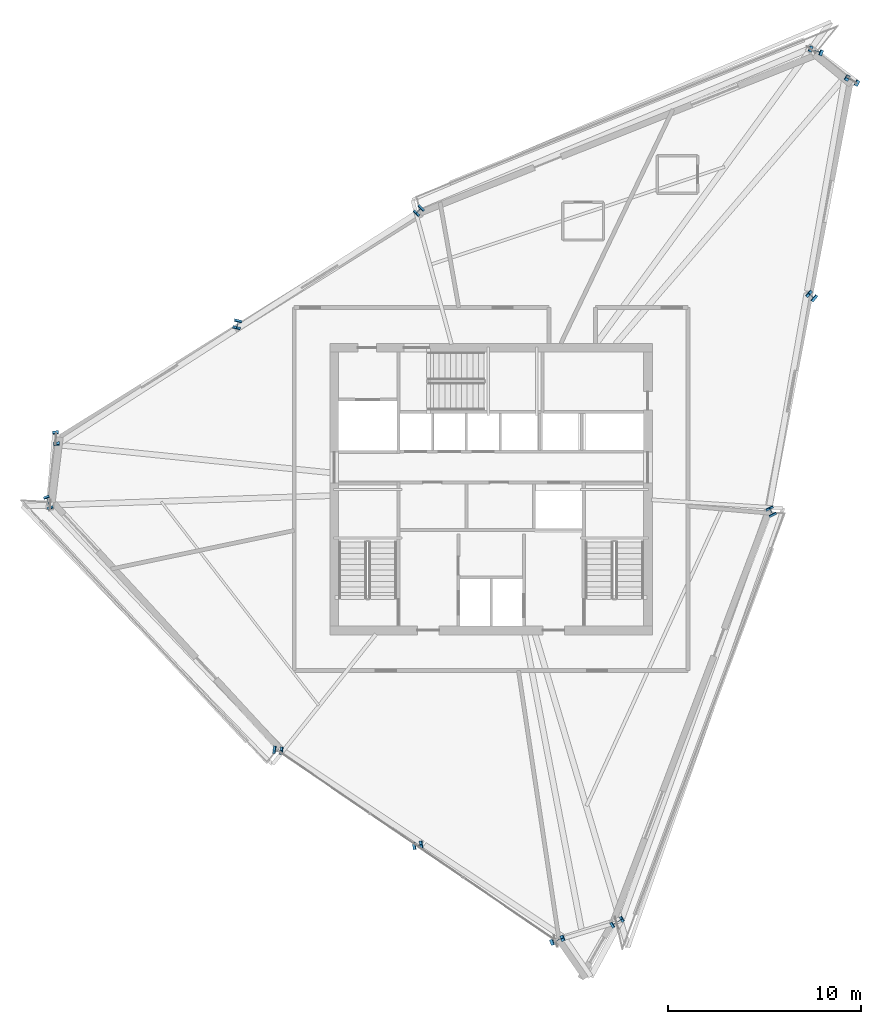
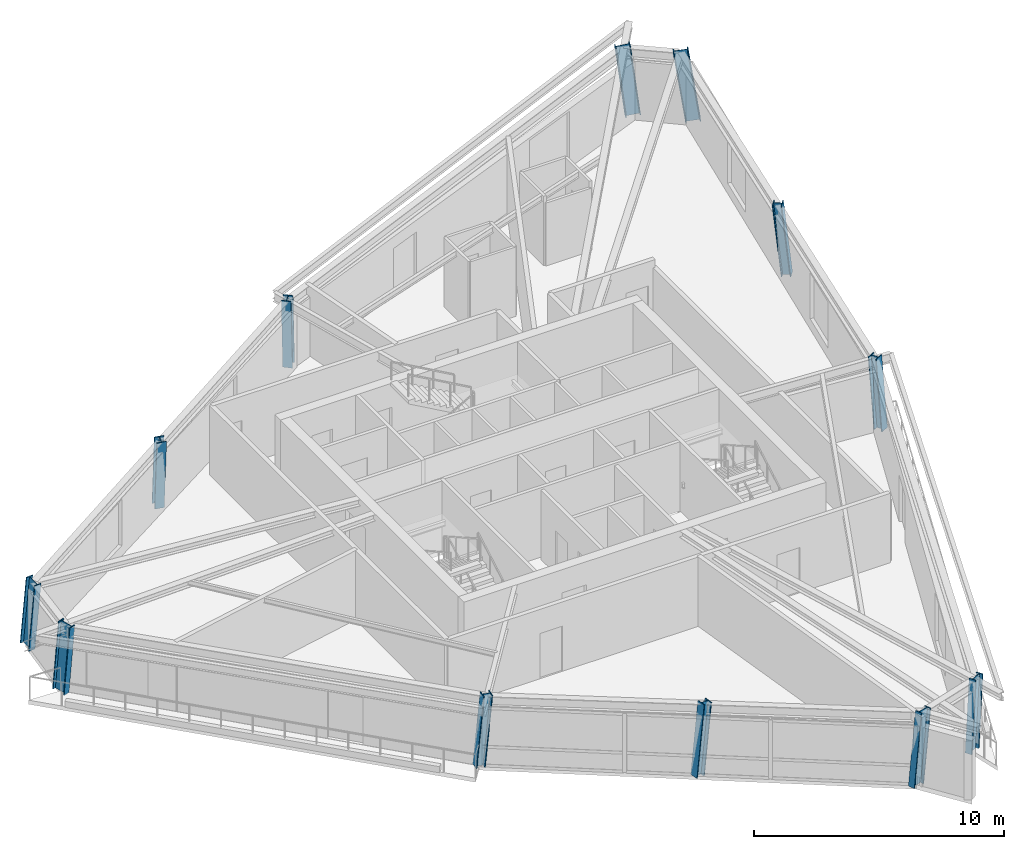
# One storey, part 1 of 13: 12 columns.
"""IFC4 building model written with IfcOpenShell, lengths in metres."""

from ifc_helpers import new_model, si_unit, direction, frame, origin, origin_2d, place, context, subcontext, project, spatial, i_section, extrude, source, transform, mapped, material, material_profile, profile_set, type_object, element, save


model = new_model("IFC4")

# Units and contexts
model_context = context("Model", 3, precision=1e-05, world=origin(), true_north=direction((0.0, 1.0)))
body_context = subcontext(model_context, "Body", "Model", "MODEL_VIEW")
ifc_project = project(units=[si_unit("LENGTHUNIT", "METRE"), si_unit("AREAUNIT", "SQUARE_METRE"), si_unit("VOLUMEUNIT", "CUBIC_METRE"), si_unit("PLANEANGLEUNIT", "RADIAN"), si_unit("MASSUNIT", "GRAM", prefix="KILO")], contexts=[model_context])

# Site, building, storey
site_placement = place(None, origin())
site = spatial("IfcSite", under=ifc_project, at=site_placement, CompositionType="ELEMENT")
building_placement = place(site_placement, origin())
building = spatial("IfcBuilding", under=site, at=building_placement, Name="Olszyna Solenne Hotel", CompositionType="ELEMENT")
storey_placement = place(building_placement, frame((0.0, 0.0, 241.699951171875)))
storey = spatial("IfcBuildingStorey", under=building, at=storey_placement, Name="L64", CompositionType="ELEMENT", Elevation=241.699951171875)

# Columns
ifc_material = material(Name="Steel S460M", Category="steel")
ifc_material_profile_1 = material_profile(ifc_material, i_section(OverallWidth=0.304931640625, OverallDepth=0.6201171875, WebThickness=0.02099609375, FlangeThickness=0.0400390625, at=origin_2d()), Name="HEM 600", Category="load-bearing")
ifc_profile_set_1 = profile_set([ifc_material_profile_1], Name="Steel S460M")
column_type_1 = type_object("IfcColumnType", Name="COL-K3", PredefinedType="COLUMN", material=ifc_profile_set_1)
shared_shape_1 = source(origin(), body_context, "Body", "SweptSolid", [
    extrude(i_section(OverallWidth=0.304931640625, OverallDepth=0.6201171875, WebThickness=0.02099609375, FlangeThickness=0.0400390625, at=origin_2d()), origin(), (0.0, 0.0, 1.0), 3.4599609375),
])
column_1_placement = place(storey_placement, frame((54.888916015625, 49.278564453125, 0.0), z_axis=(-0.112683964141, 0.041206909867, 0.992776064782), x_axis=(-0.343442373818, -0.939173751691, 0.0)))
element("IfcColumn", 1, at=column_1_placement, inside=storey, type_object=column_type_1, Name="Perimeter framed-tube column COL-K3 C-L64-02", PredefinedType="COLUMN", context=body_context, shape_type="MappedRepresentation", body=[
    mapped(shared_shape_1, transform((0.0, 0.0, 0.0), x_axis=(1.0, 0.0, 0.0), y_axis=(0.0, 1.0, 0.0), z_axis=(0.0, 0.0, 1.0), scale=1.0)),
])
shared_shape_2 = source(origin(), body_context, "Body", "SweptSolid", [
    extrude(i_section(OverallWidth=0.304931640625, OverallDepth=0.6201171875, WebThickness=0.02099609375, FlangeThickness=0.0400390625, at=origin_2d()), origin(), (0.0, 0.0, 1.0), 3.44873046875),
])
column_2_placement = place(storey_placement, frame((15.0419921875, 25.95068359375, 0.0), z_axis=(0.029803367502, -0.083746754763, 0.996041284462), x_axis=(0.942119687121, 0.335276744107, 0.0)))
element("IfcColumn", 2, at=column_2_placement, inside=storey, type_object=column_type_1, Name="Perimeter framed-tube column COL-K3 C-L64-06", PredefinedType="COLUMN", context=body_context, shape_type="MappedRepresentation", body=[
    mapped(shared_shape_2, transform((0.0, 0.0, 0.0), x_axis=(1.0, 0.0, 0.0), y_axis=(0.0, 1.0, 0.0), z_axis=(0.0, 0.0, 1.0), scale=1.0)),
])
shared_shape_3 = source(origin(), body_context, "Body", "SweptSolid", [
    extrude(i_section(OverallWidth=0.304931640625, OverallDepth=0.6201171875, WebThickness=0.02099609375, FlangeThickness=0.0400390625, at=origin_2d()), origin(), (0.0, 0.0, 1.0), 3.471435546875),
])
column_3_placement = place(storey_placement, frame((56.776123046875, 47.7255859375, 0.0), z_axis=(-0.127509311173, 0.067306349031, 0.989551024932), x_axis=(-0.466811606986, -0.88435678523, 0.0)))
element("IfcColumn", 3, at=column_3_placement, inside=storey, type_object=column_type_1, Name="Perimeter framed-tube column COL-K3 C-L64-01", PredefinedType="COLUMN", context=body_context, shape_type="MappedRepresentation", body=[
    mapped(shared_shape_3, transform((0.0, 0.0, 0.0), x_axis=(1.0, 0.0, 0.0), y_axis=(0.0, 1.0, 0.0), z_axis=(0.0, 0.0, 1.0), scale=1.0)),
])
ifc_material_profile_2 = material_profile(ifc_material, i_section(OverallWidth=0.40087890625, OverallDepth=0.39892578125, WebThickness=0.02197265625, FlangeThickness=0.034423828125, at=origin_2d()), Name="HD 400x314", Category="load-bearing")
ifc_profile_set_2 = profile_set([ifc_material_profile_2], Name="Steel S460M")
column_type_2 = type_object("IfcColumnType", Name="COL-T5", PredefinedType="COLUMN", material=ifc_profile_set_2)
shared_shape_4 = source(origin(), body_context, "Body", "SweptSolid", [
    extrude(i_section(OverallWidth=0.40087890625, OverallDepth=0.39892578125, WebThickness=0.02197265625, FlangeThickness=0.034423828125, at=origin_2d()), origin(), (0.0, 0.0, 1.0), 3.445556640625),
])
column_4_placement = place(storey_placement, frame((34.279052734375, 41.058837890625, 0.0), z_axis=(-0.052577179651, -0.057112138543, 0.996982368857), x_axis=(0.735712662081, -0.67729379065, 0.0)))
element("IfcColumn", 4, at=column_4_placement, inside=storey, type_object=column_type_2, Name="Perimeter framed-tube column COL-T5 C-L64-03", PredefinedType="COLUMN", context=body_context, shape_type="MappedRepresentation", body=[
    mapped(shared_shape_4, transform((0.0, 0.0, 0.0), x_axis=(1.0, 0.0, 0.0), y_axis=(0.0, 1.0, 0.0), z_axis=(0.0, 0.0, 1.0), scale=1.0)),
])
shared_shape_5 = source(origin(), body_context, "Body", "SweptSolid", [
    extrude(i_section(OverallWidth=0.40087890625, OverallDepth=0.39892578125, WebThickness=0.02197265625, FlangeThickness=0.034423828125, at=origin_2d()), origin(), (0.0, 0.0, 1.0), 3.449462890625),
])
column_5_placement = place(storey_placement, frame((24.86669921875, 35.185791015625, 0.0), z_axis=(-0.021090836503, -0.089105245494, 0.995798891263), x_axis=(0.973112208811, -0.230331563325, 0.0)))
element("IfcColumn", 5, at=column_5_placement, inside=storey, type_object=column_type_2, Name="Perimeter framed-tube column COL-T5 C-L64-04", PredefinedType="COLUMN", context=body_context, shape_type="MappedRepresentation", body=[
    mapped(shared_shape_5, transform((0.0, 0.0, 0.0), x_axis=(1.0, 0.0, 0.0), y_axis=(0.0, 1.0, 0.0), z_axis=(0.0, 0.0, 1.0), scale=1.0)),
])
shared_shape_6 = source(origin(), body_context, "Body", "SweptSolid", [
    extrude(i_section(OverallWidth=0.304931640625, OverallDepth=0.6201171875, WebThickness=0.02099609375, FlangeThickness=0.0400390625, at=origin_2d()), origin(), (0.0, 0.0, 1.0), 3.460693359375),
])
column_6_placement = place(storey_placement, frame((15.45458984375, 29.312744140625, 0.0), z_axis=(0.010299993131, -0.120919097436, 0.992608927029), x_axis=(0.996391734006, 0.084873508264, 0.0)))
element("IfcColumn", 6, at=column_6_placement, inside=storey, type_object=column_type_1, Name="Perimeter framed-tube column COL-K3 C-L64-05", PredefinedType="COLUMN", context=body_context, shape_type="MappedRepresentation", body=[
    mapped(shared_shape_6, transform((0.0, 0.0, 0.0), x_axis=(1.0, 0.0, 0.0), y_axis=(0.0, 1.0, 0.0), z_axis=(0.0, 0.0, 1.0), scale=1.0)),
])
shared_shape_7 = source(origin(), body_context, "Body", "SweptSolid", [
    extrude(i_section(OverallWidth=0.40087890625, OverallDepth=0.39892578125, WebThickness=0.02197265625, FlangeThickness=0.034423828125, at=origin_2d()), origin(), (0.0, 0.0, 1.0), 3.449951171875),
])
column_7_placement = place(storey_placement, frame((26.906494140625, 13.0791015625, 0.0), z_axis=(0.09164447081, -0.01316283519, 0.99570479096), x_axis=(0.142170385525, 0.989842200292, 0.0)))
element("IfcColumn", 7, at=column_7_placement, inside=storey, type_object=column_type_2, Name="Perimeter framed-tube column COL-T5 C-L64-07", PredefinedType="COLUMN", context=body_context, shape_type="MappedRepresentation", body=[
    mapped(shared_shape_7, transform((0.0, 0.0, 0.0), x_axis=(1.0, 0.0, 0.0), y_axis=(0.0, 1.0, 0.0), z_axis=(0.0, 0.0, 1.0), scale=1.0)),
])
shared_shape_8 = source(origin(), body_context, "Body", "SweptSolid", [
    extrude(i_section(OverallWidth=0.40087890625, OverallDepth=0.39892578125, WebThickness=0.02197265625, FlangeThickness=0.034423828125, at=origin_2d()), origin(), (0.0, 0.0, 1.0), 3.455078125),
])
for number, where, z_axis, x_axis, name in (
    (8, (34.131591796875, 8.13818359375, 0.0), (0.106064205529, 0.016676317458, 0.994219434904), (-0.155320411925, 0.987864145336, 0.0), "Perimeter framed-tube column COL-T5 C-L64-08"),
    (9, (54.653564453125, 36.559814453125, 0.0), (-0.081899103864, 0.06917965719, 0.994236748374), (-0.645291965008, -0.763936044376, 0.0), "Perimeter framed-tube column COL-T5 C-L64-12"),
):
    element("IfcColumn", number, at=place(storey_placement, frame(where, z_axis=z_axis, x_axis=x_axis)), inside=storey, type_object=column_type_2, Name=name, PredefinedType="COLUMN", context=body_context, shape_type="MappedRepresentation", body=[
        mapped(shared_shape_8, transform((0.0, 0.0, 0.0), x_axis=(1.0, 0.0, 0.0), y_axis=(0.0, 1.0, 0.0), z_axis=(0.0, 0.0, 1.0), scale=1.0)),
    ])
shared_shape_9 = source(origin(), body_context, "Body", "SweptSolid", [
    extrude(i_section(OverallWidth=0.304931640625, OverallDepth=0.6201171875, WebThickness=0.02099609375, FlangeThickness=0.0400390625, at=origin_2d()), origin(), (0.0, 0.0, 1.0), 3.464111328125),
])
column_8_placement = place(storey_placement, frame((41.356689453125, 3.197509765625, 0.0), z_axis=(0.120378309465, 0.046445729472, 0.991640991904), x_axis=(-0.359967164557, 0.932964972783, 0.0)))
element("IfcColumn", 10, at=column_8_placement, inside=storey, type_object=column_type_1, Name="Perimeter framed-tube column COL-K3 C-L64-09", PredefinedType="COLUMN", context=body_context, shape_type="MappedRepresentation", body=[
    mapped(shared_shape_9, transform((0.0, 0.0, 0.0), x_axis=(1.0, 0.0, 0.0), y_axis=(0.0, 1.0, 0.0), z_axis=(0.0, 0.0, 1.0), scale=1.0)),
])
shared_shape_10 = source(origin(), body_context, "Body", "SweptSolid", [
    extrude(i_section(OverallWidth=0.304931640625, OverallDepth=0.6201171875, WebThickness=0.02099609375, FlangeThickness=0.0400390625, at=origin_2d()), origin(), (0.0, 0.0, 1.0), 3.450439453125),
])
column_9_placement = place(storey_placement, frame((44.48193359375, 4.135009765625, 0.0), z_axis=(0.080168448244, 0.049318100994, 0.99556051791), x_axis=(-0.523971590103, 0.851735741157, 0.0)))
element("IfcColumn", 11, at=column_9_placement, inside=storey, type_object=column_type_1, Name="Perimeter framed-tube column COL-K3 C-L64-10", PredefinedType="COLUMN", context=body_context, shape_type="MappedRepresentation", body=[
    mapped(shared_shape_10, transform((0.0, 0.0, 0.0), x_axis=(1.0, 0.0, 0.0), y_axis=(0.0, 1.0, 0.0), z_axis=(0.0, 0.0, 1.0), scale=1.0)),
])
shared_shape_11 = source(origin(), body_context, "Body", "SweptSolid", [
    extrude(i_section(OverallWidth=0.40087890625, OverallDepth=0.39892578125, WebThickness=0.02197265625, FlangeThickness=0.034423828125, at=origin_2d()), origin(), (0.0, 0.0, 1.0), 3.446044921875),
])
column_10_placement = place(storey_placement, frame((52.53125, 25.393798828125, 0.0), z_axis=(-0.035848953239, 0.071060276874, 0.996827612781), x_axis=(-0.892819182684, -0.450415260656, 0.0)))
element("IfcColumn", 12, at=column_10_placement, inside=storey, type_object=column_type_2, Name="Perimeter framed-tube column COL-T5 C-L64-11", PredefinedType="COLUMN", context=body_context, shape_type="MappedRepresentation", body=[
    mapped(shared_shape_11, transform((0.0, 0.0, 0.0), x_axis=(1.0, 0.0, 0.0), y_axis=(0.0, 1.0, 0.0), z_axis=(0.0, 0.0, 1.0), scale=1.0)),
])

save(model, "model.ifc")
